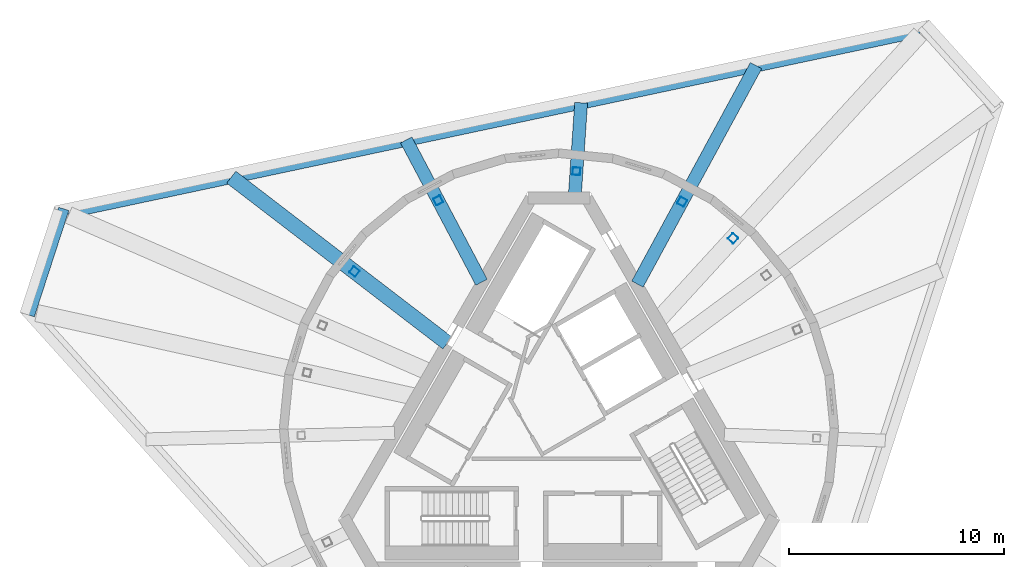
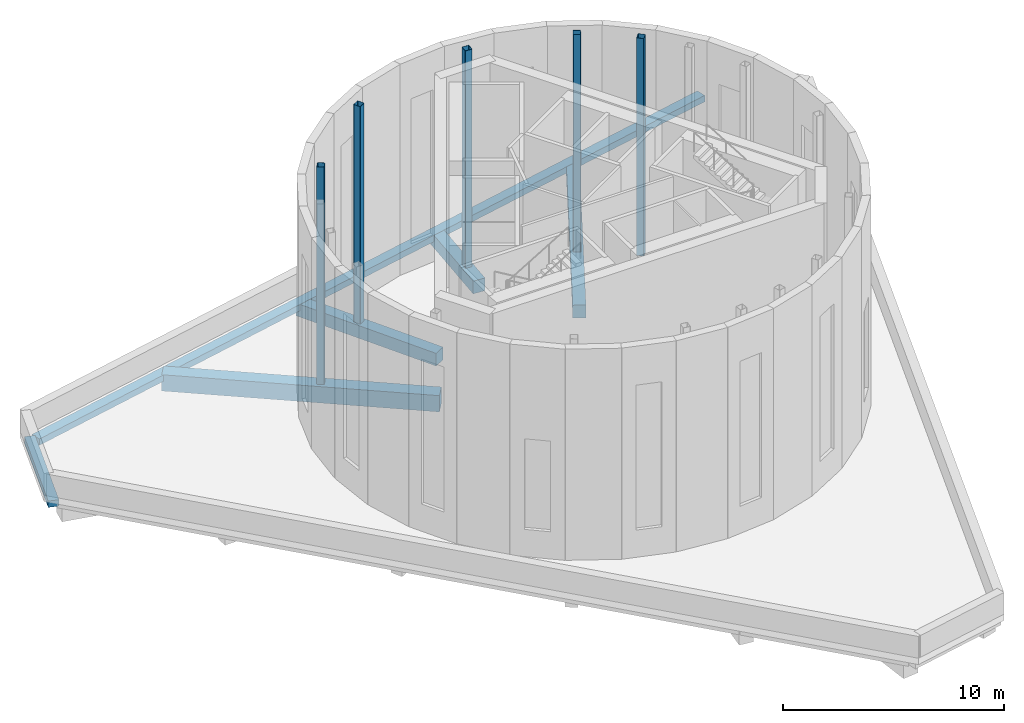
# One storey, part 4 of 9: 6 beams, 5 members.
"""IFC4 building model written with IfcOpenShell, lengths in metres."""

from ifc_helpers import new_model, si_unit, direction, frame, origin, origin_2d, place, context, subcontext, project, spatial, rectangle, hollow_rectangle, extrude, material, material_profile, profile_set, type_object, element, save


model = new_model("IFC4")

# Units and contexts
model_context = context("Model", 3, precision=1e-05, world=origin(), true_north=direction((0.0, 1.0)))
body_context = subcontext(model_context, "Body", "Model", "MODEL_VIEW")
ifc_project = project(units=[si_unit("LENGTHUNIT", "METRE"), si_unit("AREAUNIT", "SQUARE_METRE"), si_unit("VOLUMEUNIT", "CUBIC_METRE"), si_unit("PLANEANGLEUNIT", "RADIAN"), si_unit("MASSUNIT", "GRAM", prefix="KILO")], contexts=[model_context])

# Site, building, storey
site_placement = place(None, origin())
site = spatial("IfcSite", under=ifc_project, at=site_placement, CompositionType="ELEMENT")
building_placement = place(site_placement, origin())
building = spatial("IfcBuilding", under=site, at=building_placement, Name="Tramontana Tower", CompositionType="ELEMENT")
storey_placement = place(building_placement, frame((0.0, 0.0, 380.89990234375)))
storey = spatial("IfcBuildingStorey", under=building, at=storey_placement, Name="Crown", CompositionType="ELEMENT", Elevation=380.89990234375)

# Members
ifc_material_1 = material(Name="Steel ASTM A500 Grade C", Category="steel")
ifc_material_profile_1 = material_profile(ifc_material_1, hollow_rectangle(XDim=0.355712890625, YDim=0.355712890625, WallThickness=0.01171875, InnerFilletRadius=0.01171875, OuterFilletRadius=0.023681640625, at=origin_2d()), Name="HSS14X14X1/2")
ifc_profile_set_1 = profile_set([ifc_material_profile_1], Name="Steel ASTM A500 Grade C")
member_type = type_object("IfcMemberType", Name="Drum HSS14X14X1/2 post", PredefinedType="POST", material=ifc_profile_set_1)
for number, where, z_axis, x_axis, name in (
    (1, (8.092529296875, 8.84130859375, -0.349853515625), (0.0, 0.0, 1.0), (0.675184717831, 0.73764869471, 0.0), "Drum post 12"),
    (2, (5.724609375, 10.54248046875, -0.349853515625), (0.0, 0.0, 1.0), (0.477200099205, 0.878794666187, 0.0), "Drum post 13"),
    (3, (0.813720703125, 11.9599609375, -0.349853515625), (0.0, 0.0, 1.0), (0.067889034253, 0.997692878108, 0.0), "Drum post 14"),
    (4, (-5.61279296875, 10.60400390625, -0.349853515625), (0.0, 0.0, 1.0), (-0.467817970928, 0.883824839024, 0.0), "Drum post 15"),
    (5, (-9.510498046875, 7.296875, -0.349853515625), (0.0, 0.0, 1.0), (-0.793381975493, 0.60872410907, 0.0), "Drum post 16"),
):
    element("IfcMember", number, at=place(storey_placement, frame(where, z_axis=z_axis, x_axis=x_axis)), inside=storey, type_object=member_type, Name=name, PredefinedType="POST", context=body_context, shape_type="SweptSolid", body=[
        extrude(hollow_rectangle(XDim=0.355712890625, YDim=0.355712890625, WallThickness=0.01171875, InnerFilletRadius=0.01171875, OuterFilletRadius=0.023681640625, at=origin_2d()), origin(), (0.0, 0.0, 1.0), 12.0),
    ])

# Beams
ifc_material_2 = material(Name="Concrete 40 MPa", Category="concrete")
ifc_material_profile_2 = material_profile(ifc_material_2, rectangle(XDim=0.5, YDim=0.35009765625, at=origin_2d()), Name="RC EDGE BEAM 500X350 40 MPa")
ifc_profile_set_2 = profile_set([ifc_material_profile_2], Name="Concrete 40 MPa")
beam_type_1 = type_object("IfcBeamType", Name="RC EDGE BEAM 500X350 40 MPa", PredefinedType="SPANDREL", material=ifc_profile_set_2)
beam_1_placement = place(storey_placement, frame((16.767333984375, 18.439208984375, -0.52490234375), z_axis=(-0.978146276815, -0.20791791927, 0.0), x_axis=(0.20791791927, -0.978146276815, 0.0)))
element("IfcBeam", 6, at=beam_1_placement, inside=storey, type_object=beam_type_1, Name="Spandrel beam S2 Crown", PredefinedType="SPANDREL", context=body_context, shape_type="SweptSolid", body=[
    extrude(rectangle(XDim=0.5, YDim=0.35009765625, at=origin_2d()), origin(), (0.0, 0.0, 1.0), 40.469482421875),
])
beam_2_placement = place(storey_placement, frame((-23.02099609375, 10.2119140625, -0.52490234375), z_axis=(-0.309015953557, -0.951056854477, 0.0), x_axis=(0.951056854477, -0.309015953557, 0.0)))
element("IfcBeam", 7, at=beam_2_placement, inside=storey, type_object=beam_type_1, Name="Spandrel beam K0 Crown", PredefinedType="SPANDREL", context=body_context, shape_type="SweptSolid", body=[
    extrude(rectangle(XDim=0.5, YDim=0.35009765625, at=origin_2d()), origin(), (0.0, 0.0, 1.0), 5.1962890625),
])
ifc_material_3 = material(Name="Concrete 40 MPa", Category="concrete")
ifc_material_profile_3 = material_profile(ifc_material_3, rectangle(XDim=0.60009765625, YDim=0.699951171875, at=origin_2d()), Name="RC GIRDER 600X700 40 MPa")
ifc_profile_set_3 = profile_set([ifc_material_profile_3], Name="Concrete 40 MPa")
beam_type_2 = type_object("IfcBeamType", Name="RC GIRDER 600X700 40 MPa", PredefinedType="BEAM", material=ifc_profile_set_3)
beam_3_placement = place(storey_placement, frame((9.16259765625, 16.873779296875, -0.699951171875), z_axis=(-0.477185075818, -0.87880282397, 0.0), x_axis=(0.87880282397, -0.477185075818, 0.0)))
element("IfcBeam", 8, at=beam_3_placement, inside=storey, type_object=beam_type_2, Name="Radial girder C8F09 Crown", PredefinedType="BEAM", context=body_context, shape_type="SweptSolid", body=[
    extrude(rectangle(XDim=0.60009765625, YDim=0.699951171875, at=origin_2d()), origin(), (0.0, 0.0, 1.0), 11.559814453125),
])
beam_4_placement = place(storey_placement, frame((1.030517578125, 15.145263671875, -0.699951171875), z_axis=(-0.067897965918, -0.997692270304, 0.0), x_axis=(0.997692270304, -0.067897965918, 0.0)))
element("IfcBeam", 9, at=beam_4_placement, inside=storey, type_object=beam_type_2, Name="Radial girder C8F10 Crown", PredefinedType="BEAM", context=body_context, shape_type="SweptSolid", body=[
    extrude(rectangle(XDim=0.60009765625, YDim=0.699951171875, at=origin_2d()), origin(), (0.0, 0.0, 1.0), 4.429931640625),
])
beam_5_placement = place(storey_placement, frame((-7.1015625, 13.416748046875, -0.699951171875), z_axis=(0.467808305742, -0.883829954843, 0.0), x_axis=(0.883829954843, 0.467808305742, 0.0)))
element("IfcBeam", 10, at=beam_5_placement, inside=storey, type_object=beam_type_2, Name="Radial girder C8F11 Crown", PredefinedType="BEAM", context=body_context, shape_type="SweptSolid", body=[
    extrude(rectangle(XDim=0.60009765625, YDim=0.699951171875, at=origin_2d()), origin(), (0.0, 0.0, 1.0), 7.486328125),
])
ifc_material_4 = material(Name="Concrete 40 MPa", Category="concrete")
ifc_material_profile_4 = material_profile(ifc_material_4, rectangle(XDim=0.699951171875, YDim=0.89990234375, at=origin_2d()), Name="RC GIRDER 700X900 40 MPa")
ifc_profile_set_4 = profile_set([ifc_material_profile_4], Name="Concrete 40 MPa")
beam_type_3 = type_object("IfcBeamType", Name="RC GIRDER 700X900 40 MPa", PredefinedType="BEAM", material=ifc_profile_set_4)
beam_6_placement = place(storey_placement, frame((-15.23388671875, 11.68798828125, -0.7998046875), z_axis=(0.793386383047, -0.608718364431, 0.0), x_axis=(0.608718364431, 0.793386383047, 0.0)))
element("IfcBeam", 11, at=beam_6_placement, inside=storey, type_object=beam_type_3, Name="Radial girder C8F12 Crown", PredefinedType="BEAM", context=body_context, shape_type="SweptSolid", body=[
    extrude(rectangle(XDim=0.699951171875, YDim=0.89990234375, at=origin_2d()), origin(), (0.0, 0.0, 1.0), 12.66796875),
])

save(model, "model.ifc")
